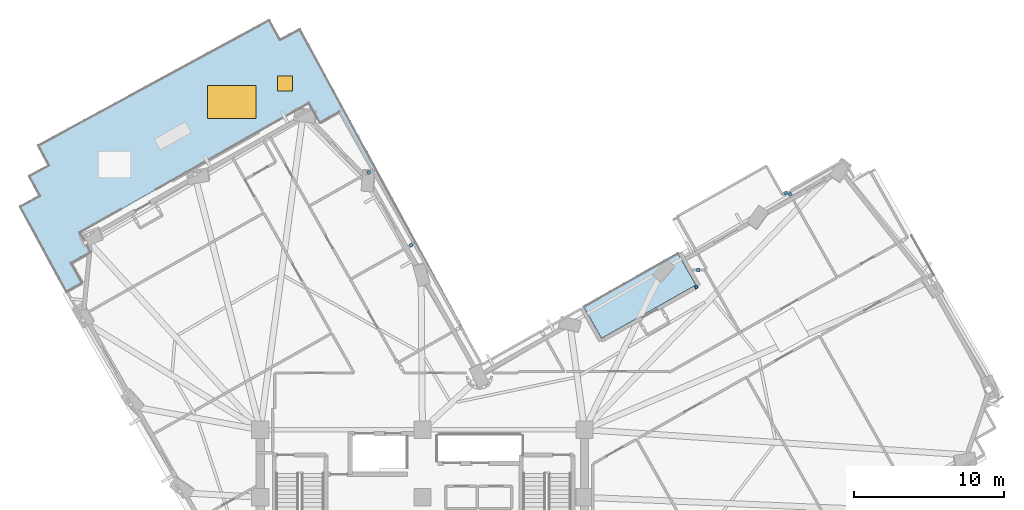
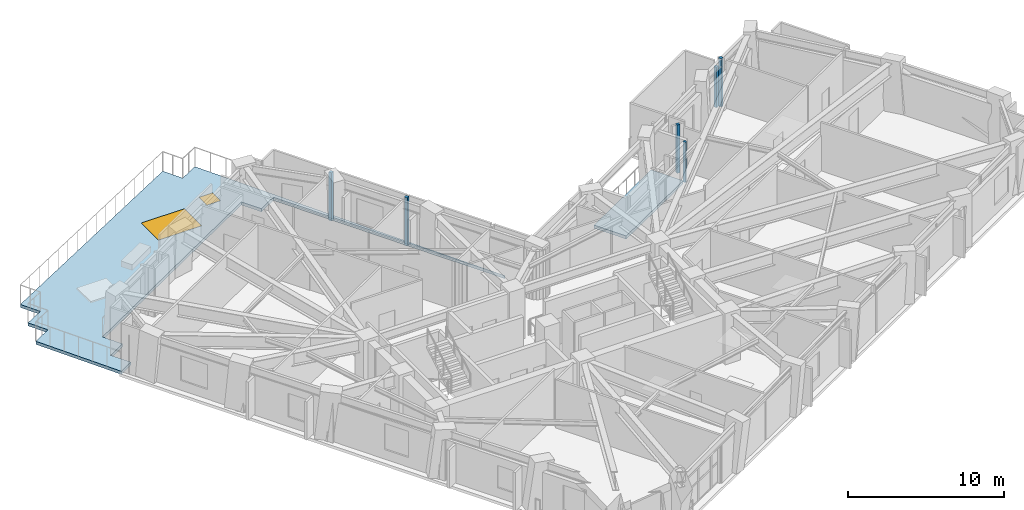
# One storey, part 9 of 18: 6 plates, 2 slabs, 1 door, 1 window, 2 openings.
"""IFC4 building model written with IfcOpenShell, lengths in metres."""

from ifc_helpers import new_model, si_unit, direction, frame, origin, origin_2d, place, context, subcontext, project, spatial, polyline, rectangle, outline, extrude, material, layer, layer_set, type_object, element, fill, save


model = new_model("IFC4")

# Units and contexts
model_context = context("Model", 3, precision=1e-05, world=origin(), true_north=direction((0.0, 1.0)))
body_context = subcontext(model_context, "Body", "Model", "MODEL_VIEW")
ifc_project = project(units=[si_unit("LENGTHUNIT", "METRE"), si_unit("AREAUNIT", "SQUARE_METRE"), si_unit("VOLUMEUNIT", "CUBIC_METRE"), si_unit("PLANEANGLEUNIT", "RADIAN"), si_unit("MASSUNIT", "GRAM", prefix="KILO")], contexts=[model_context])

# Site, building, storey
site_placement = place(None, origin())
site = spatial("IfcSite", under=ifc_project, at=site_placement, CompositionType="ELEMENT")
building_placement = place(site_placement, origin())
building = spatial("IfcBuilding", under=site, at=building_placement, Name="Gaonmaruhae Medical Tower", CompositionType="ELEMENT")
storey_placement = place(building_placement, frame((0.0, 0.0, 149.800048828125)))
storey = spatial("IfcBuildingStorey", under=building, at=storey_placement, Name="L35", CompositionType="ELEMENT", Elevation=149.800048828125)

# Plates
ifc_material_1 = material(Name="Anodised aluminium 6063-T6", Category="aluminium")
ifc_layer_1 = layer(ifc_material_1, 0.011962890625)
ifc_layer_set_1 = layer_set([ifc_layer_1], Name="Anodised aluminium 6063-T6")
plate_type = type_object("IfcPlateType", Name="PP-01 Interior Partition Corner Stiffener Plate", PredefinedType="SHEET", material=ifc_layer_set_1)
plate_1_placement = place(storey_placement, frame((43.039306640625, 26.2939453125, 0.0), z_axis=(0.0, 0.0, 1.0), x_axis=(0.8707850851, 0.491663844071, 0.0)))
element("IfcPlate", 1, at=plate_1_placement, inside=storey, type_object=plate_type, Name="L35 Partition End Jamb Post Plate PLT-L35-ENDP-TERB-1", PredefinedType="SHEET", context=body_context, shape_type="SweptSolid", body=[
    extrude(rectangle(XDim=0.179931640625, YDim=0.179931640625, at=origin_2d()), origin(), (0.0, 0.0, 1.0), 3.1650390625),
])
plate_2_placement = place(storey_placement, frame((43.1708984375, 27.43896484375, 0.0), z_axis=(0.0, 0.0, 1.0), x_axis=(1.0, 0.0, 0.0)))
element("IfcPlate", 2, at=plate_2_placement, inside=storey, type_object=plate_type, Name="L35 Partition Corner Stiffener Plate PLT-L35-JGP-PW078", PredefinedType="SHEET", context=body_context, shape_type="SweptSolid", body=[
    extrude(rectangle(XDim=0.219970703125, YDim=0.219970703125, at=origin_2d()), origin(), (0.0, 0.0, 1.0), 3.780029296875),
])
plate_3_placement = place(storey_placement, frame((48.985595703125, 32.568603515625, 0.0), z_axis=(0.0, 0.0, 1.0), x_axis=(0.871393678221, 0.49058440411, 0.0)))
element("IfcPlate", 3, at=plate_3_placement, inside=storey, type_object=plate_type, Name="L35 Partition Corner Stiffener Plate PLT-L35-JGP-PW082", PredefinedType="SHEET", context=body_context, shape_type="SweptSolid", body=[
    extrude(rectangle(XDim=0.219970703125, YDim=0.219970703125, at=origin_2d()), origin(), (0.0, 0.0, 1.0), 3.1650390625),
])
for number, where, z_axis, x_axis, name in (
    (4, (49.287109375, 32.488525390625, 0.0), (0.0, 0.0, 1.0), (0.491679042063, -0.870776503815, 0.0), "L35 Partition Corner Stiffener Plate PLT-L35-JGP-PW083"),
    (5, (24.03662109375, 29.092041015625, 0.0), (0.0, 0.0, 1.0), (0.870776503815, 0.491679042063, 0.0), "L35 Partition Corner Stiffener Plate PLT-L35-JGP-PW098"),
    (6, (21.2333984375, 33.94091796875, 0.0), (0.0, 0.0, 1.0), (0.870261141364, 0.492590647326, 0.0), "L35 Partition Corner Stiffener Plate PLT-L35-JGP-PW102"),
):
    element("IfcPlate", number, at=place(storey_placement, frame(where, z_axis=z_axis, x_axis=x_axis)), inside=storey, type_object=plate_type, Name=name, PredefinedType="SHEET", context=body_context, shape_type="SweptSolid", body=[
        extrude(rectangle(XDim=0.219970703125, YDim=0.219970703125, at=origin_2d()), origin(), (0.0, 0.0, 1.0), 3.780029296875),
    ])

# Slab
ifc_material_2 = material(Name="Concrete C40/50", Category="concrete")
ifc_layer_2 = layer(ifc_material_2, 0.239990234375)
ifc_layer_set_2 = layer_set([ifc_layer_2], Name="Concrete C40/50")
slab_type = type_object("IfcSlabType", Name="TS-240 Sky Garden & Recovery Terrace Slab", PredefinedType="FLOOR", material=ifc_layer_set_2)
slab_1_placement = place(storey_placement, frame((0.0, 0.0, -0.239990234375)))
element("IfcSlab", 7, at=slab_1_placement, inside=storey, type_object=slab_type, Name="L35 Outdoor Recovery Terrace Slab", PredefinedType="FLOOR", context=body_context, shape_type="SweptSolid", body=[
    extrude(outline(polyline([(36.735595703125, 22.8955078125), (43.005126953125, 26.435546875), (41.8251953125, 28.525390625), (35.555419921875, 24.9853515625), (36.735595703125, 22.8955078125)])), origin(), (0.0, 0.0, 1.0), 0.239990234375),
])

# Slab, openings, door, window
slab_2_placement = place(storey_placement, frame((0.0, 0.0, -0.239990234375)))
slab_2 = element("IfcSlab", 8, at=slab_2_placement, inside=storey, type_object=slab_type, Name="L35 Stacked Setback Sky Garden Terrace Slab 1", PredefinedType="FLOOR", context=body_context, shape_type="SweptSolid", body=[
    extrude(outline(polyline([(-0.663330078125, 32.3681640625), (-1.37890625, 33.686279296875), (-0.060791015625, 34.402099609375), (-0.776611328125, 35.72021484375), (14.602783203125, 44.070556640625), (15.318603515625, 42.752197265625), (16.63671875, 43.468017578125), (27.775146484375, 22.953369140625), (19.287109375, 37.98681640625), (17.98095703125, 37.249267578125), (17.243408203125, 38.555419921875), (1.9697265625, 29.931640625), (2.707275390625, 28.62548828125), (1.401123046875, 27.887939453125), (2.138671875, 26.581787109375), (1.09228515625, 25.990966796875), (-1.9814453125, 31.65234375), (-0.663330078125, 32.3681640625)])), origin(), (0.0, 0.0, 1.0), 0.239990234375),
])
opening_1_placement = place(slab_2_placement, frame((12.101318359375, 38.6259765625, 0.0)))
opening_1 = element("IfcOpeningElement", 9, at=opening_1_placement, cuts=slab_2, Name="Opening SK-02", PredefinedType="OPENING", context=body_context, shape_type="SweptSolid", body=[
    extrude(rectangle(XDim=3.199951171875, YDim=2.199951171875, at=origin_2d()), frame((0.0, 0.0, -0.010009765625)), (0.0, 0.0, 1.0), 0.260009765625),
])
opening_2_placement = place(slab_2_placement, frame((15.6494140625, 39.8505859375, 0.0)))
opening_2 = element("IfcOpeningElement", 10, at=opening_2_placement, cuts=slab_2, Name="Opening HT-01", PredefinedType="OPENING", context=body_context, shape_type="SweptSolid", body=[
    extrude(rectangle(XDim=1.0, YDim=1.0, at=origin_2d()), frame((0.0, 0.0, -0.010009765625)), (0.0, 0.0, 1.0), 0.260009765625),
])
ifc_material_3 = material(Name="Powder-coated steel access hatch", Category="steel")
door_type = type_object("IfcDoorType", Name="HT-01 Insulated Roof & Terrace Access Hatch 1000x1000", OperationType="NOTDEFINED", PredefinedType="TRAPDOOR", material=ifc_material_3)
door_placement = place(opening_2_placement, frame((0.0, 0.0, 0.199951171875)))
door = element("IfcDoor", 11, at=door_placement, inside=storey, type_object=door_type, Name="L35 Terrace Maintenance Access Hatch SLB-L35-SKYG1", OperationType="SINGLE_SWING_LEFT", OverallHeight=1.0, OverallWidth=1.0, PredefinedType="TRAPDOOR", context=body_context, shape_type="SweptSolid", body=[
    extrude(rectangle(XDim=1.0, YDim=1.0, at=origin_2d()), origin(), (0.0, 0.0, 1.0), 0.0400390625),
])
fill(opening_2, door)
ifc_material_4 = material(Name="Anodised aluminium and Low-E double glazing", Category="aluminium")
window_type = type_object("IfcWindowType", Name="SK-02 Sky Garden Canopy Skylight 3200x2200", PartitioningType="SINGLE_PANEL", PredefinedType="SKYLIGHT", material=ifc_material_4)
window_placement = place(opening_1_placement, frame((0.0, 0.0, 0.199951171875)))
window = element("IfcWindow", 12, at=window_placement, inside=storey, type_object=window_type, Name="L35 Daylighting Skylight SLB-L35-SKYG1", OverallHeight=2.199951171875, OverallWidth=3.199951171875, PartitioningType="SINGLE_PANEL", PredefinedType="SKYLIGHT", context=body_context, shape_type="SweptSolid", body=[
    extrude(rectangle(XDim=3.199951171875, YDim=2.199951171875, at=origin_2d()), origin(), (0.0, 0.0, 1.0), 0.0400390625),
])
fill(opening_1, window)

save(model, "model.ifc")
